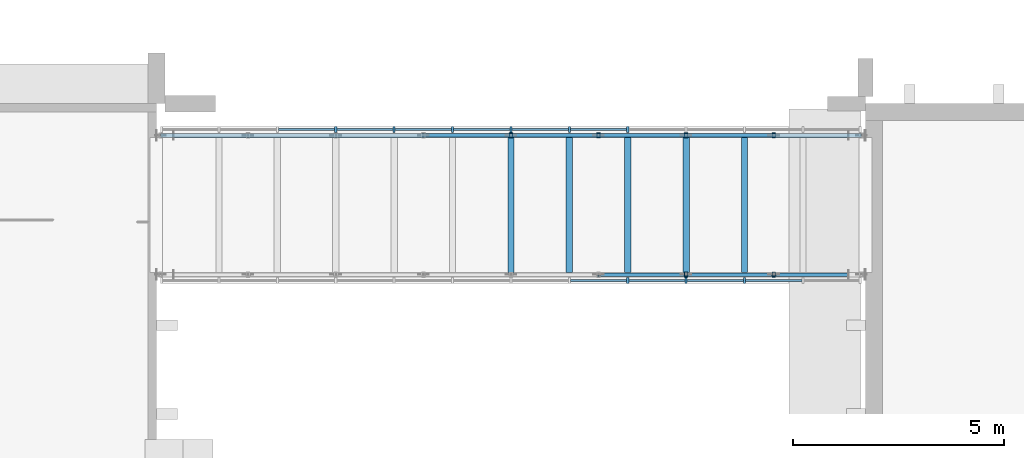
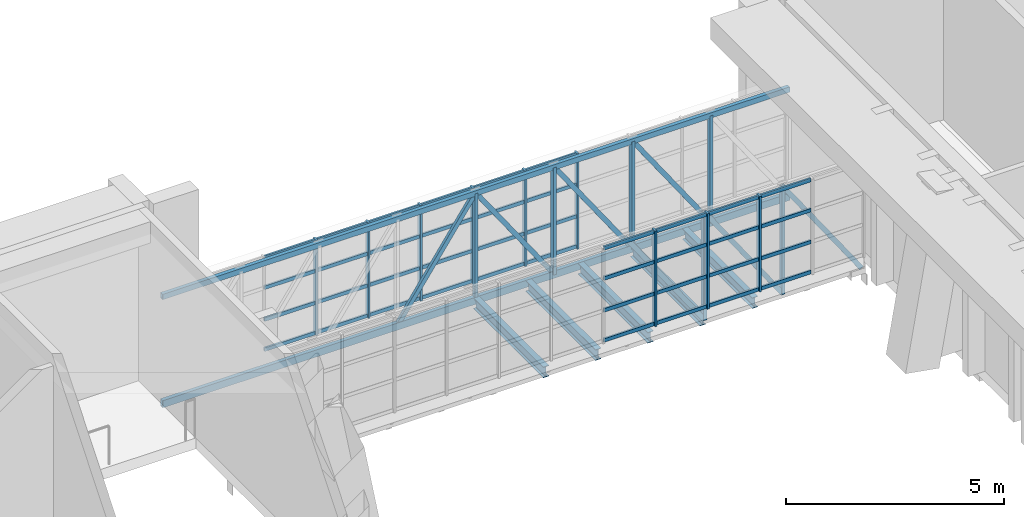
# One storey, part 22 of 86: 64 members, 5 beams, 2 elements without a shape of their own.
"""IFC4 building model written with IfcOpenShell, lengths in metres."""

import ifcopenshell
import ifcopenshell.guid

model = None  # the IFC model being written
_history = None  # IfcOwnerHistory: only IFC2X3 demands one
_inside = {}  # id of a spatial element -> (the spatial element, [elements in it])
_under = {}  # id of a project, library or spatial element -> (it, [spatial elements below it])
_declared = {}  # id of a project -> (the project, [libraries it declares])
_typed = {}  # id of a type object -> (the type object, [elements of that type])
_made_of = {}  # id of a material, layer set ... -> (it, [elements and type objects made of it])


def new_model(schema):
    """Start an empty IFC model of exactly this schema.

    Asked for "IFC4X3", IfcOpenShell would pick the latest addendum, in which some entities
    have other attributes; the version numbers below select the first issue.
    IFC2X3 requires an IfcOwnerHistory on every rooted entity: one is made here for all.
    """
    global model, _history
    if schema == "IFC4X3":
        model = ifcopenshell.file(schema_version=(4, 3, 0, 0))
    else:
        model = ifcopenshell.file(schema=schema)
    _inside.clear()
    _under.clear()
    _declared.clear()
    _typed.clear()
    _made_of.clear()
    _history = None
    if model.schema == "IFC2X3":
        org = make("IfcOrganization", Name="unknown")
        user = make(
            "IfcPersonAndOrganization",
            ThePerson=make("IfcPerson", FamilyName="unknown"),
            TheOrganization=org,
        )
        app = make(
            "IfcApplication",
            ApplicationDeveloper=org,
            Version="unknown",
            ApplicationFullName="unknown",
            ApplicationIdentifier="unknown",
        )
        _history = make(
            "IfcOwnerHistory",
            OwningUser=user,
            OwningApplication=app,
            ChangeAction="ADDED",
            CreationDate=0,
        )
    return model


def make(cls, **values):
    """One entity of the class cls with the attributes given. An attribute that is None is left unset."""
    return model.create_entity(
        cls, **{name: value for name, value in values.items() if value is not None}
    )


def rooted(cls, **values):
    """An entity with a GlobalId (a new one), such as an element, a storey or a relation."""
    return make(cls, GlobalId=ifcopenshell.guid.new(), OwnerHistory=_history, **values)


def si_unit(unit_type, name, prefix=None):
    """IfcSIUnit, for example si_unit("LENGTHUNIT", "METRE", prefix="MILLI")."""
    return make("IfcSIUnit", UnitType=unit_type, Prefix=prefix, Name=name)


def assignment(units):
    """IfcUnitAssignment: the units of a project."""
    return None if units is None else make("IfcUnitAssignment", Units=units)


def point(xyz):
    """IfcCartesianPoint."""
    return None if xyz is None else make("IfcCartesianPoint", Coordinates=xyz)


def direction(xyz):
    """IfcDirection."""
    return None if xyz is None else make("IfcDirection", DirectionRatios=xyz)


def frame(location, z_axis=None, x_axis=None):
    """IfcAxis2Placement3D, a coordinate frame: its origin and axes. An axis left out is left unset."""
    return make(
        "IfcAxis2Placement3D",
        Location=point(location),
        Axis=direction(z_axis),
        RefDirection=direction(x_axis),
    )


def frame_2d(location, x_axis=None):
    """IfcAxis2Placement2D, a coordinate frame in the plane: its origin and x axis."""
    return make(
        "IfcAxis2Placement2D", Location=point(location), RefDirection=direction(x_axis)
    )


def origin():
    """The frame at (0, 0, 0) with its axes left unset."""
    return frame((0.0, 0.0, 0.0))


def origin_2d():
    """The frame at (0, 0) in the plane with its x axis left unset."""
    return frame_2d((0.0, 0.0))


def place(relative_to, where):
    """IfcLocalPlacement: puts the frame where relative to a parent placement (None: the world)."""
    return make(
        "IfcLocalPlacement", PlacementRelTo=relative_to, RelativePlacement=where
    )


def context(
    kind, dimensions, precision=None, world=None, true_north=None, identifier=None
):
    """IfcGeometricRepresentationContext, for example the 3D "Model" context."""
    return make(
        "IfcGeometricRepresentationContext",
        ContextIdentifier=identifier,
        ContextType=kind,
        CoordinateSpaceDimension=dimensions,
        Precision=precision,
        WorldCoordinateSystem=world,
        TrueNorth=true_north,
    )


def subcontext(parent, identifier, kind, view, scale=None):
    """IfcGeometricRepresentationSubContext, for example "Body" below "Model"."""
    return make(
        "IfcGeometricRepresentationSubContext",
        ContextIdentifier=identifier,
        ContextType=kind,
        ParentContext=parent,
        TargetScale=scale,
        TargetView=view,
    )


def project(units=None, contexts=None):
    """IfcProject with its units and contexts."""
    return rooted(
        "IfcProject",
        Name="project",
        RepresentationContexts=contexts,
        UnitsInContext=assignment(units),
    )


def spatial(cls, under=None, at=None, **own):
    """A site, building, storey or space (cls), placed at a placement, below another one or the project."""
    s = rooted(cls, ObjectPlacement=at, **own)
    if under is not None:
        _under.setdefault(under.id(), (under, []))[1].append(s)
    return s


def profile(cls, at=None, kind="AREA", **sizes):
    """A parametric profile (cls). Its sizes go by their IFC names, for example OverallWidth=200.0."""
    return make(cls, ProfileType=kind, Position=at, **sizes)


def rectangle(**sizes):
    """IfcRectangleProfileDef."""
    return profile("IfcRectangleProfileDef", **sizes)


def hollow_rectangle(**sizes):
    """IfcRectangleHollowProfileDef."""
    return profile("IfcRectangleHollowProfileDef", **sizes)


def i_section(**sizes):
    """IfcIShapeProfileDef."""
    return profile("IfcIShapeProfileDef", **sizes)


def extrude(swept, where, along, depth):
    """IfcExtrudedAreaSolid: the profile swept, set in the frame where, extruded along a direction by depth."""
    return make(
        "IfcExtrudedAreaSolid",
        SweptArea=swept,
        Position=where,
        ExtrudedDirection=direction(along),
        Depth=depth,
    )


def shape(context_of_items, identifier, shape_type, items):
    """IfcShapeRepresentation: the items that make up one representation, for example the "Body"."""
    return make(
        "IfcShapeRepresentation",
        ContextOfItems=context_of_items,
        RepresentationIdentifier=identifier,
        RepresentationType=shape_type,
        Items=items,
    )


def material(Name=None, Category=None):
    """IfcMaterial."""
    return make("IfcMaterial", Name=Name, Category=Category)


def layer(
    of_material, thickness, ventilated=None, Name=None, Category=None, Priority=None
):
    """IfcMaterialLayer: one layer of a wall or slab, of a material (None: an air gap)."""
    return make(
        "IfcMaterialLayer",
        Material=of_material,
        LayerThickness=thickness,
        IsVentilated=ventilated,
        Name=Name,
        Category=Category,
        Priority=Priority,
    )


def layer_set(layers, Name=None):
    """IfcMaterialLayerSet."""
    return make("IfcMaterialLayerSet", MaterialLayers=layers, LayerSetName=Name)


def material_profile(
    of_material, cross_section, Name=None, Category=None, Priority=None
):
    """IfcMaterialProfile: a cross section and its material."""
    return make(
        "IfcMaterialProfile",
        Name=Name,
        Material=of_material,
        Profile=cross_section,
        Priority=Priority,
        Category=Category,
    )


def profile_set(profiles, Name=None, composite=None):
    """IfcMaterialProfileSet."""
    return make(
        "IfcMaterialProfileSet",
        Name=Name,
        MaterialProfiles=profiles,
        CompositeProfile=composite,
    )


def made_of(thing, what):
    """Note that an element or type object is made of a material, layer set ...; save() writes the relation."""
    if what is not None:
        _made_of.setdefault(what.id(), (what, []))[1].append(thing)
    return thing


def type_object(cls, material=None, **own):
    """A type object (cls), such as IfcWallType, which elements share."""
    return made_of(rooted(cls, **own), material)


def element(
    cls,
    number,
    at=None,
    inside=None,
    cuts=None,
    type_object=None,
    material=None,
    context=None,
    identifier="Body",
    shape_type=None,
    held_by="IfcProductDefinitionShape",
    body=None,
    shapes=None,
    **own,
):
    """One element of the class cls, such as IfcWall. Its Tag is "e" and its number.

    at: its placement. inside: the storey or other place that contains it. cuts: it is an
    opening in that element (IfcRelVoidsElement). A single representation is given by context,
    identifier, shape_type and body (its items); several are given by shapes. held_by: the class
    of the entity that holds the representations. save() writes the other relations.
    """
    e = rooted(cls, Tag="e%d" % number, ObjectPlacement=at, **own)
    if body is not None:
        shapes = [shape(context, identifier, shape_type, body)]
    if shapes is not None:
        e.Representation = make(held_by, Representations=shapes)
    if inside is not None:
        _inside.setdefault(inside.id(), (inside, []))[1].append(e)
    if cuts is not None:
        rooted(
            "IfcRelVoidsElement", RelatingBuildingElement=cuts, RelatedOpeningElement=e
        )
    if type_object is not None:
        _typed.setdefault(type_object.id(), (type_object, []))[1].append(e)
    return made_of(e, material)


def aggregate(whole, parts):
    """IfcRelAggregates: a whole, such as a stair, and the parts it consists of."""
    return rooted("IfcRelAggregates", RelatingObject=whole, RelatedObjects=parts)


def save(model, path):
    """Write the relations noted so far, then the file.

    IfcRelAggregates (storeys below a building ...), IfcRelContainedInSpatialStructure (elements
    in a storey), IfcRelDefinesByType, IfcRelAssociatesMaterial and IfcRelDeclares: one each for
    every whole, place, type object, material and project.
    """
    for whole, parts in _under.values():
        aggregate(whole, parts)
    for where, things in _inside.values():
        rooted(
            "IfcRelContainedInSpatialStructure",
            RelatedElements=things,
            RelatingStructure=where,
        )
    for kind, things in _typed.values():
        rooted("IfcRelDefinesByType", RelatedObjects=things, RelatingType=kind)
    for what, things in _made_of.values():
        rooted("IfcRelAssociatesMaterial", RelatedObjects=things, RelatingMaterial=what)
    for by, libraries in _declared.values():
        rooted("IfcRelDeclares", RelatingContext=by, RelatedDefinitions=libraries)
    model.write(path)


model = new_model("IFC4")

# Units and contexts
model_context = context("Model", 3, precision=1e-05, world=origin(), true_north=direction((0.0, 1.0)))
body_context = subcontext(model_context, "Body", "Model", "MODEL_VIEW")
ifc_project = project(units=[si_unit("LENGTHUNIT", "METRE"), si_unit("AREAUNIT", "SQUARE_METRE"), si_unit("VOLUMEUNIT", "CUBIC_METRE"), si_unit("PLANEANGLEUNIT", "RADIAN"), si_unit("MASSUNIT", "GRAM", prefix="KILO")], contexts=[model_context])

# Site, building, storey
site_placement = place(None, origin())
site = spatial("IfcSite", under=ifc_project, at=site_placement, CompositionType="ELEMENT")
building_placement = place(site_placement, origin())
building = spatial("IfcBuilding", under=site, at=building_placement, Name="Kiln Court Media Centre", CompositionType="ELEMENT")
storey_placement = place(building_placement, frame((0.0, 0.0, 10.199951171875)))
storey = spatial("IfcBuildingStorey", under=building, at=storey_placement, Name="L02", CompositionType="ELEMENT", Elevation=10.199951171875)

# Curtain wall, members
ifc_material_1 = material(Name="Aluminium 6063-T6", Category="aluminium")
ifc_layer = layer(ifc_material_1, 0.1201171875)
ifc_layer_set = layer_set([ifc_layer], Name="Aluminium unitised curtain wall, bridge")
curtain_wall_type = type_object("IfcCurtainWallType", Name="Aluminium unitised curtain wall, bridge", PredefinedType="USERDEFINED", material=ifc_layer_set)
curtain_wall_1_placement = place(storey_placement, origin())
curtain_wall_1 = element("IfcCurtainWall", 1, at=curtain_wall_1_placement, inside=storey, type_object=curtain_wall_type, Name="BR-4 side glazing", ObjectType="UNITISED CURTAIN WALL", PredefinedType="USERDEFINED")
ifc_material_2 = material(Name="Aluminium 6063-T6", Category="aluminium")
ifc_material_profile_1 = material_profile(ifc_material_2, rectangle(XDim=0.050048828125, YDim=0.139892578125, at=origin_2d()), Name="Aluminium hall mullion 50x140")
ifc_profile_set_1 = profile_set([ifc_material_profile_1], Name="Aluminium 6063-T6")
member_type_1 = type_object("IfcMemberType", Name="Aluminium hall mullion 50x140", PredefinedType="MULLION", material=ifc_profile_set_1)
member_1_placement = place(storey_placement, frame((111.966552734375, 63.014892578125, 0.0), z_axis=(0.0, 0.0, 1.0), x_axis=(1.0, 0.0, 0.0)))
member_1 = element("IfcMember", 2, at=member_1_placement, type_object=member_type_1, Name="CW2-65 mullion 9", PredefinedType="MULLION", context=body_context, shape_type="SweptSolid", body=[
    extrude(rectangle(XDim=0.050048828125, YDim=0.139892578125, at=origin_2d()), origin(), (0.0, 0.0, 1.0), 2.675048828125),
])
member_2_placement = place(storey_placement, frame((113.35009765625, 63.014892578125, 0.0), z_axis=(0.0, 0.0, 1.0), x_axis=(1.0, 0.0, 0.0)))
member_2 = element("IfcMember", 3, at=member_2_placement, type_object=member_type_1, Name="CW2-65 mullion 10", PredefinedType="MULLION", context=body_context, shape_type="SweptSolid", body=[
    extrude(rectangle(XDim=0.050048828125, YDim=0.139892578125, at=origin_2d()), origin(), (0.0, 0.0, 1.0), 2.675048828125),
])
member_3_placement = place(storey_placement, frame((114.7333984375, 63.014892578125, 0.0), z_axis=(0.0, 0.0, 1.0), x_axis=(1.0, 0.0, 0.0)))
member_3 = element("IfcMember", 4, at=member_3_placement, type_object=member_type_1, Name="CW2-65 mullion 11", PredefinedType="MULLION", context=body_context, shape_type="SweptSolid", body=[
    extrude(rectangle(XDim=0.050048828125, YDim=0.139892578125, at=origin_2d()), origin(), (0.0, 0.0, 1.0), 2.675048828125),
])

curtain_wall_2_placement = place(storey_placement, origin())
curtain_wall_2 = element("IfcCurtainWall", 5, at=curtain_wall_2_placement, inside=storey, type_object=curtain_wall_type, Name="BR-4 side glazing", ObjectType="UNITISED CURTAIN WALL", PredefinedType="USERDEFINED")
member_4_placement = place(storey_placement, frame((105.050048828125, 66.5849609375, 0.0), z_axis=(0.0, 0.0, 1.0), x_axis=(1.0, 0.0, 0.0)))
member_4 = element("IfcMember", 6, at=member_4_placement, type_object=member_type_1, Name="CW2-66 mullion 4", PredefinedType="MULLION", context=body_context, shape_type="SweptSolid", body=[
    extrude(rectangle(XDim=0.050048828125, YDim=0.139892578125, at=origin_2d()), origin(), (0.0, 0.0, 1.0), 2.675048828125),
])
member_5_placement = place(storey_placement, frame((106.433349609375, 66.5849609375, 0.0), z_axis=(0.0, 0.0, 1.0), x_axis=(1.0, 0.0, 0.0)))
member_5 = element("IfcMember", 7, at=member_5_placement, type_object=member_type_1, Name="CW2-66 mullion 5", PredefinedType="MULLION", context=body_context, shape_type="SweptSolid", body=[
    extrude(rectangle(XDim=0.050048828125, YDim=0.139892578125, at=origin_2d()), origin(), (0.0, 0.0, 1.0), 2.675048828125),
])
member_6_placement = place(storey_placement, frame((107.816650390625, 66.5849609375, 0.0), z_axis=(0.0, 0.0, 1.0), x_axis=(1.0, 0.0, 0.0)))
member_6 = element("IfcMember", 8, at=member_6_placement, type_object=member_type_1, Name="CW2-66 mullion 6", PredefinedType="MULLION", context=body_context, shape_type="SweptSolid", body=[
    extrude(rectangle(XDim=0.050048828125, YDim=0.139892578125, at=origin_2d()), origin(), (0.0, 0.0, 1.0), 2.675048828125),
])
member_7_placement = place(storey_placement, frame((109.199951171875, 66.5849609375, 0.0), z_axis=(0.0, 0.0, 1.0), x_axis=(1.0, 0.0, 0.0)))
member_7 = element("IfcMember", 9, at=member_7_placement, type_object=member_type_1, Name="CW2-66 mullion 7", PredefinedType="MULLION", context=body_context, shape_type="SweptSolid", body=[
    extrude(rectangle(XDim=0.050048828125, YDim=0.139892578125, at=origin_2d()), origin(), (0.0, 0.0, 1.0), 2.675048828125),
])
member_8_placement = place(storey_placement, frame((110.583251953125, 66.5849609375, 0.0), z_axis=(0.0, 0.0, 1.0), x_axis=(1.0, 0.0, 0.0)))
member_8 = element("IfcMember", 10, at=member_8_placement, type_object=member_type_1, Name="CW2-66 mullion 8", PredefinedType="MULLION", context=body_context, shape_type="SweptSolid", body=[
    extrude(rectangle(XDim=0.050048828125, YDim=0.139892578125, at=origin_2d()), origin(), (0.0, 0.0, 1.0), 2.675048828125),
])
member_9_placement = place(storey_placement, frame((111.966552734375, 66.5849609375, 0.0), z_axis=(0.0, 0.0, 1.0), x_axis=(1.0, 0.0, 0.0)))
member_9 = element("IfcMember", 11, at=member_9_placement, type_object=member_type_1, Name="CW2-66 mullion 9", PredefinedType="MULLION", context=body_context, shape_type="SweptSolid", body=[
    extrude(rectangle(XDim=0.050048828125, YDim=0.139892578125, at=origin_2d()), origin(), (0.0, 0.0, 1.0), 2.675048828125),
])

# Member
ifc_material_3 = material(Name="Aluminium 6063-T6", Category="aluminium")
ifc_material_profile_2 = material_profile(ifc_material_3, rectangle(XDim=0.050048828125, YDim=0.10009765625, at=origin_2d()), Name="Aluminium hall transom 50x100")
ifc_profile_set_2 = profile_set([ifc_material_profile_2], Name="Aluminium 6063-T6")
member_type_2 = type_object("IfcMemberType", Name="Aluminium hall transom 50x100", PredefinedType="USERDEFINED", material=ifc_profile_set_2)
member_10_placement = place(storey_placement, frame((110.6083984375, 63.014892578125, 0.050048828125), z_axis=(1.0, 0.0, 0.0), x_axis=(0.0, 1.0, 0.0)))
member_10 = element("IfcMember", 12, at=member_10_placement, type_object=member_type_2, Name="CW2-65 transom 8.1", ObjectType="TRANSOM", PredefinedType="USERDEFINED", context=body_context, shape_type="SweptSolid", body=[
    extrude(rectangle(XDim=0.050048828125, YDim=0.10009765625, at=origin_2d()), origin(), (0.0, 0.0, 1.0), 1.333251953125),
])

member_11_placement = place(storey_placement, frame((110.6083984375, 63.014892578125, 0.891845703125), z_axis=(1.0, 0.0, 0.0), x_axis=(0.0, 1.0, 0.0)))
member_11 = element("IfcMember", 13, at=member_11_placement, type_object=member_type_2, Name="CW2-65 transom 8.2", ObjectType="TRANSOM", PredefinedType="USERDEFINED", context=body_context, shape_type="SweptSolid", body=[
    extrude(rectangle(XDim=0.050048828125, YDim=0.10009765625, at=origin_2d()), origin(), (0.0, 0.0, 1.0), 1.333251953125),
])

member_12_placement = place(storey_placement, frame((110.6083984375, 63.014892578125, 1.783447265625), z_axis=(1.0, 0.0, 0.0), x_axis=(0.0, 1.0, 0.0)))
member_12 = element("IfcMember", 14, at=member_12_placement, type_object=member_type_2, Name="CW2-65 transom 8.3", ObjectType="TRANSOM", PredefinedType="USERDEFINED", context=body_context, shape_type="SweptSolid", body=[
    extrude(rectangle(XDim=0.050048828125, YDim=0.10009765625, at=origin_2d()), origin(), (0.0, 0.0, 1.0), 1.333251953125),
])

member_13_placement = place(storey_placement, frame((110.6083984375, 63.014892578125, 2.625), z_axis=(1.0, 0.0, 0.0), x_axis=(0.0, 1.0, 0.0)))
member_13 = element("IfcMember", 15, at=member_13_placement, type_object=member_type_2, Name="CW2-65 transom 8.4", ObjectType="TRANSOM", PredefinedType="USERDEFINED", context=body_context, shape_type="SweptSolid", body=[
    extrude(rectangle(XDim=0.050048828125, YDim=0.10009765625, at=origin_2d()), origin(), (0.0, 0.0, 1.0), 1.333251953125),
])

member_14_placement = place(storey_placement, frame((111.99169921875, 63.014892578125, 0.050048828125), z_axis=(1.0, 0.0, 0.0), x_axis=(0.0, 1.0, 0.0)))
member_14 = element("IfcMember", 16, at=member_14_placement, type_object=member_type_2, Name="CW2-65 transom 9.1", ObjectType="TRANSOM", PredefinedType="USERDEFINED", context=body_context, shape_type="SweptSolid", body=[
    extrude(rectangle(XDim=0.050048828125, YDim=0.10009765625, at=origin_2d()), origin(), (0.0, 0.0, 1.0), 1.333251953125),
])

member_15_placement = place(storey_placement, frame((111.99169921875, 63.014892578125, 0.891845703125), z_axis=(1.0, 0.0, 0.0), x_axis=(0.0, 1.0, 0.0)))
member_15 = element("IfcMember", 17, at=member_15_placement, type_object=member_type_2, Name="CW2-65 transom 9.2", ObjectType="TRANSOM", PredefinedType="USERDEFINED", context=body_context, shape_type="SweptSolid", body=[
    extrude(rectangle(XDim=0.050048828125, YDim=0.10009765625, at=origin_2d()), origin(), (0.0, 0.0, 1.0), 1.333251953125),
])

member_16_placement = place(storey_placement, frame((111.99169921875, 63.014892578125, 1.783447265625), z_axis=(1.0, 0.0, 0.0), x_axis=(0.0, 1.0, 0.0)))
member_16 = element("IfcMember", 18, at=member_16_placement, type_object=member_type_2, Name="CW2-65 transom 9.3", ObjectType="TRANSOM", PredefinedType="USERDEFINED", context=body_context, shape_type="SweptSolid", body=[
    extrude(rectangle(XDim=0.050048828125, YDim=0.10009765625, at=origin_2d()), origin(), (0.0, 0.0, 1.0), 1.333251953125),
])

member_17_placement = place(storey_placement, frame((111.99169921875, 63.014892578125, 2.625), z_axis=(1.0, 0.0, 0.0), x_axis=(0.0, 1.0, 0.0)))
member_17 = element("IfcMember", 19, at=member_17_placement, type_object=member_type_2, Name="CW2-65 transom 9.4", ObjectType="TRANSOM", PredefinedType="USERDEFINED", context=body_context, shape_type="SweptSolid", body=[
    extrude(rectangle(XDim=0.050048828125, YDim=0.10009765625, at=origin_2d()), origin(), (0.0, 0.0, 1.0), 1.333251953125),
])

member_18_placement = place(storey_placement, frame((113.375, 63.014892578125, 0.050048828125), z_axis=(1.0, 0.0, 0.0), x_axis=(0.0, 1.0, 0.0)))
member_18 = element("IfcMember", 20, at=member_18_placement, type_object=member_type_2, Name="CW2-65 transom 10.1", ObjectType="TRANSOM", PredefinedType="USERDEFINED", context=body_context, shape_type="SweptSolid", body=[
    extrude(rectangle(XDim=0.050048828125, YDim=0.10009765625, at=origin_2d()), origin(), (0.0, 0.0, 1.0), 1.333251953125),
])

member_19_placement = place(storey_placement, frame((113.375, 63.014892578125, 0.891845703125), z_axis=(1.0, 0.0, 0.0), x_axis=(0.0, 1.0, 0.0)))
member_19 = element("IfcMember", 21, at=member_19_placement, type_object=member_type_2, Name="CW2-65 transom 10.2", ObjectType="TRANSOM", PredefinedType="USERDEFINED", context=body_context, shape_type="SweptSolid", body=[
    extrude(rectangle(XDim=0.050048828125, YDim=0.10009765625, at=origin_2d()), origin(), (0.0, 0.0, 1.0), 1.333251953125),
])

member_20_placement = place(storey_placement, frame((113.375, 63.014892578125, 1.783447265625), z_axis=(1.0, 0.0, 0.0), x_axis=(0.0, 1.0, 0.0)))
member_20 = element("IfcMember", 22, at=member_20_placement, type_object=member_type_2, Name="CW2-65 transom 10.3", ObjectType="TRANSOM", PredefinedType="USERDEFINED", context=body_context, shape_type="SweptSolid", body=[
    extrude(rectangle(XDim=0.050048828125, YDim=0.10009765625, at=origin_2d()), origin(), (0.0, 0.0, 1.0), 1.333251953125),
])

member_21_placement = place(storey_placement, frame((113.375, 63.014892578125, 2.625), z_axis=(1.0, 0.0, 0.0), x_axis=(0.0, 1.0, 0.0)))
member_21 = element("IfcMember", 23, at=member_21_placement, type_object=member_type_2, Name="CW2-65 transom 10.4", ObjectType="TRANSOM", PredefinedType="USERDEFINED", context=body_context, shape_type="SweptSolid", body=[
    extrude(rectangle(XDim=0.050048828125, YDim=0.10009765625, at=origin_2d()), origin(), (0.0, 0.0, 1.0), 1.333251953125),
])

member_22_placement = place(storey_placement, frame((114.75830078125, 63.014892578125, 0.050048828125), z_axis=(1.0, 0.0, 0.0), x_axis=(0.0, 1.0, 0.0)))
member_22 = element("IfcMember", 24, at=member_22_placement, type_object=member_type_2, Name="CW2-65 transom 11.1", ObjectType="TRANSOM", PredefinedType="USERDEFINED", context=body_context, shape_type="SweptSolid", body=[
    extrude(rectangle(XDim=0.050048828125, YDim=0.10009765625, at=origin_2d()), origin(), (0.0, 0.0, 1.0), 1.333251953125),
])

member_23_placement = place(storey_placement, frame((114.75830078125, 63.014892578125, 0.891845703125), z_axis=(1.0, 0.0, 0.0), x_axis=(0.0, 1.0, 0.0)))
member_23 = element("IfcMember", 25, at=member_23_placement, type_object=member_type_2, Name="CW2-65 transom 11.2", ObjectType="TRANSOM", PredefinedType="USERDEFINED", context=body_context, shape_type="SweptSolid", body=[
    extrude(rectangle(XDim=0.050048828125, YDim=0.10009765625, at=origin_2d()), origin(), (0.0, 0.0, 1.0), 1.333251953125),
])

member_24_placement = place(storey_placement, frame((114.75830078125, 63.014892578125, 1.783447265625), z_axis=(1.0, 0.0, 0.0), x_axis=(0.0, 1.0, 0.0)))
member_24 = element("IfcMember", 26, at=member_24_placement, type_object=member_type_2, Name="CW2-65 transom 11.3", ObjectType="TRANSOM", PredefinedType="USERDEFINED", context=body_context, shape_type="SweptSolid", body=[
    extrude(rectangle(XDim=0.050048828125, YDim=0.10009765625, at=origin_2d()), origin(), (0.0, 0.0, 1.0), 1.333251953125),
])

member_25_placement = place(storey_placement, frame((114.75830078125, 63.014892578125, 2.625), z_axis=(1.0, 0.0, 0.0), x_axis=(0.0, 1.0, 0.0)))
member_25 = element("IfcMember", 27, at=member_25_placement, type_object=member_type_2, Name="CW2-65 transom 11.4", ObjectType="TRANSOM", PredefinedType="USERDEFINED", context=body_context, shape_type="SweptSolid", body=[
    extrude(rectangle(XDim=0.050048828125, YDim=0.10009765625, at=origin_2d()), origin(), (0.0, 0.0, 1.0), 1.333251953125),
])

aggregate(curtain_wall_1, [member_1, member_2, member_3, member_10, member_11, member_12, member_13, member_14, member_15, member_16, member_17, member_18, member_19, member_20, member_21, member_22, member_23, member_24, member_25])

member_26_placement = place(storey_placement, frame((103.691650390625, 66.5849609375, 0.050048828125), z_axis=(1.0, 0.0, 0.0), x_axis=(0.0, 1.0, 0.0)))
member_26 = element("IfcMember", 28, at=member_26_placement, type_object=member_type_2, Name="CW2-66 transom 3.1", ObjectType="TRANSOM", PredefinedType="USERDEFINED", context=body_context, shape_type="SweptSolid", body=[
    extrude(rectangle(XDim=0.050048828125, YDim=0.10009765625, at=origin_2d()), origin(), (0.0, 0.0, 1.0), 1.333251953125),
])

member_27_placement = place(storey_placement, frame((103.691650390625, 66.5849609375, 0.891845703125), z_axis=(1.0, 0.0, 0.0), x_axis=(0.0, 1.0, 0.0)))
member_27 = element("IfcMember", 29, at=member_27_placement, type_object=member_type_2, Name="CW2-66 transom 3.2", ObjectType="TRANSOM", PredefinedType="USERDEFINED", context=body_context, shape_type="SweptSolid", body=[
    extrude(rectangle(XDim=0.050048828125, YDim=0.10009765625, at=origin_2d()), origin(), (0.0, 0.0, 1.0), 1.333251953125),
])

member_28_placement = place(storey_placement, frame((103.691650390625, 66.5849609375, 1.783447265625), z_axis=(1.0, 0.0, 0.0), x_axis=(0.0, 1.0, 0.0)))
member_28 = element("IfcMember", 30, at=member_28_placement, type_object=member_type_2, Name="CW2-66 transom 3.3", ObjectType="TRANSOM", PredefinedType="USERDEFINED", context=body_context, shape_type="SweptSolid", body=[
    extrude(rectangle(XDim=0.050048828125, YDim=0.10009765625, at=origin_2d()), origin(), (0.0, 0.0, 1.0), 1.333251953125),
])

member_29_placement = place(storey_placement, frame((103.691650390625, 66.5849609375, 2.625), z_axis=(1.0, 0.0, 0.0), x_axis=(0.0, 1.0, 0.0)))
member_29 = element("IfcMember", 31, at=member_29_placement, type_object=member_type_2, Name="CW2-66 transom 3.4", ObjectType="TRANSOM", PredefinedType="USERDEFINED", context=body_context, shape_type="SweptSolid", body=[
    extrude(rectangle(XDim=0.050048828125, YDim=0.10009765625, at=origin_2d()), origin(), (0.0, 0.0, 1.0), 1.333251953125),
])

member_30_placement = place(storey_placement, frame((105.074951171875, 66.5849609375, 0.050048828125), z_axis=(1.0, 0.0, 0.0), x_axis=(0.0, 1.0, 0.0)))
member_30 = element("IfcMember", 32, at=member_30_placement, type_object=member_type_2, Name="CW2-66 transom 4.1", ObjectType="TRANSOM", PredefinedType="USERDEFINED", context=body_context, shape_type="SweptSolid", body=[
    extrude(rectangle(XDim=0.050048828125, YDim=0.10009765625, at=origin_2d()), origin(), (0.0, 0.0, 1.0), 1.33349609375),
])

member_31_placement = place(storey_placement, frame((105.074951171875, 66.5849609375, 0.891845703125), z_axis=(1.0, 0.0, 0.0), x_axis=(0.0, 1.0, 0.0)))
member_31 = element("IfcMember", 33, at=member_31_placement, type_object=member_type_2, Name="CW2-66 transom 4.2", ObjectType="TRANSOM", PredefinedType="USERDEFINED", context=body_context, shape_type="SweptSolid", body=[
    extrude(rectangle(XDim=0.050048828125, YDim=0.10009765625, at=origin_2d()), origin(), (0.0, 0.0, 1.0), 1.33349609375),
])

member_32_placement = place(storey_placement, frame((105.074951171875, 66.5849609375, 1.783447265625), z_axis=(1.0, 0.0, 0.0), x_axis=(0.0, 1.0, 0.0)))
member_32 = element("IfcMember", 34, at=member_32_placement, type_object=member_type_2, Name="CW2-66 transom 4.3", ObjectType="TRANSOM", PredefinedType="USERDEFINED", context=body_context, shape_type="SweptSolid", body=[
    extrude(rectangle(XDim=0.050048828125, YDim=0.10009765625, at=origin_2d()), origin(), (0.0, 0.0, 1.0), 1.33349609375),
])

member_33_placement = place(storey_placement, frame((105.074951171875, 66.5849609375, 2.625), z_axis=(1.0, 0.0, 0.0), x_axis=(0.0, 1.0, 0.0)))
member_33 = element("IfcMember", 35, at=member_33_placement, type_object=member_type_2, Name="CW2-66 transom 4.4", ObjectType="TRANSOM", PredefinedType="USERDEFINED", context=body_context, shape_type="SweptSolid", body=[
    extrude(rectangle(XDim=0.050048828125, YDim=0.10009765625, at=origin_2d()), origin(), (0.0, 0.0, 1.0), 1.33349609375),
])

member_34_placement = place(storey_placement, frame((106.458251953125, 66.5849609375, 0.050048828125), z_axis=(1.0, 0.0, 0.0), x_axis=(0.0, 1.0, 0.0)))
member_34 = element("IfcMember", 36, at=member_34_placement, type_object=member_type_2, Name="CW2-66 transom 5.1", ObjectType="TRANSOM", PredefinedType="USERDEFINED", context=body_context, shape_type="SweptSolid", body=[
    extrude(rectangle(XDim=0.050048828125, YDim=0.10009765625, at=origin_2d()), origin(), (0.0, 0.0, 1.0), 1.33349609375),
])

member_35_placement = place(storey_placement, frame((106.458251953125, 66.5849609375, 0.891845703125), z_axis=(1.0, 0.0, 0.0), x_axis=(0.0, 1.0, 0.0)))
member_35 = element("IfcMember", 37, at=member_35_placement, type_object=member_type_2, Name="CW2-66 transom 5.2", ObjectType="TRANSOM", PredefinedType="USERDEFINED", context=body_context, shape_type="SweptSolid", body=[
    extrude(rectangle(XDim=0.050048828125, YDim=0.10009765625, at=origin_2d()), origin(), (0.0, 0.0, 1.0), 1.33349609375),
])

member_36_placement = place(storey_placement, frame((106.458251953125, 66.5849609375, 1.783447265625), z_axis=(1.0, 0.0, 0.0), x_axis=(0.0, 1.0, 0.0)))
member_36 = element("IfcMember", 38, at=member_36_placement, type_object=member_type_2, Name="CW2-66 transom 5.3", ObjectType="TRANSOM", PredefinedType="USERDEFINED", context=body_context, shape_type="SweptSolid", body=[
    extrude(rectangle(XDim=0.050048828125, YDim=0.10009765625, at=origin_2d()), origin(), (0.0, 0.0, 1.0), 1.33349609375),
])

member_37_placement = place(storey_placement, frame((106.458251953125, 66.5849609375, 2.625), z_axis=(1.0, 0.0, 0.0), x_axis=(0.0, 1.0, 0.0)))
member_37 = element("IfcMember", 39, at=member_37_placement, type_object=member_type_2, Name="CW2-66 transom 5.4", ObjectType="TRANSOM", PredefinedType="USERDEFINED", context=body_context, shape_type="SweptSolid", body=[
    extrude(rectangle(XDim=0.050048828125, YDim=0.10009765625, at=origin_2d()), origin(), (0.0, 0.0, 1.0), 1.33349609375),
])

member_38_placement = place(storey_placement, frame((107.841552734375, 66.5849609375, 0.050048828125), z_axis=(1.0, 0.0, 0.0), x_axis=(0.0, 1.0, 0.0)))
member_38 = element("IfcMember", 40, at=member_38_placement, type_object=member_type_2, Name="CW2-66 transom 6.1", ObjectType="TRANSOM", PredefinedType="USERDEFINED", context=body_context, shape_type="SweptSolid", body=[
    extrude(rectangle(XDim=0.050048828125, YDim=0.10009765625, at=origin_2d()), origin(), (0.0, 0.0, 1.0), 1.33349609375),
])

member_39_placement = place(storey_placement, frame((107.841552734375, 66.5849609375, 0.891845703125), z_axis=(1.0, 0.0, 0.0), x_axis=(0.0, 1.0, 0.0)))
member_39 = element("IfcMember", 41, at=member_39_placement, type_object=member_type_2, Name="CW2-66 transom 6.2", ObjectType="TRANSOM", PredefinedType="USERDEFINED", context=body_context, shape_type="SweptSolid", body=[
    extrude(rectangle(XDim=0.050048828125, YDim=0.10009765625, at=origin_2d()), origin(), (0.0, 0.0, 1.0), 1.33349609375),
])

member_40_placement = place(storey_placement, frame((107.841552734375, 66.5849609375, 1.783447265625), z_axis=(1.0, 0.0, 0.0), x_axis=(0.0, 1.0, 0.0)))
member_40 = element("IfcMember", 42, at=member_40_placement, type_object=member_type_2, Name="CW2-66 transom 6.3", ObjectType="TRANSOM", PredefinedType="USERDEFINED", context=body_context, shape_type="SweptSolid", body=[
    extrude(rectangle(XDim=0.050048828125, YDim=0.10009765625, at=origin_2d()), origin(), (0.0, 0.0, 1.0), 1.33349609375),
])

member_41_placement = place(storey_placement, frame((107.841552734375, 66.5849609375, 2.625), z_axis=(1.0, 0.0, 0.0), x_axis=(0.0, 1.0, 0.0)))
member_41 = element("IfcMember", 43, at=member_41_placement, type_object=member_type_2, Name="CW2-66 transom 6.4", ObjectType="TRANSOM", PredefinedType="USERDEFINED", context=body_context, shape_type="SweptSolid", body=[
    extrude(rectangle(XDim=0.050048828125, YDim=0.10009765625, at=origin_2d()), origin(), (0.0, 0.0, 1.0), 1.33349609375),
])

member_42_placement = place(storey_placement, frame((109.22509765625, 66.5849609375, 0.050048828125), z_axis=(1.0, 0.0, 0.0), x_axis=(0.0, 1.0, 0.0)))
member_42 = element("IfcMember", 44, at=member_42_placement, type_object=member_type_2, Name="CW2-66 transom 7.1", ObjectType="TRANSOM", PredefinedType="USERDEFINED", context=body_context, shape_type="SweptSolid", body=[
    extrude(rectangle(XDim=0.050048828125, YDim=0.10009765625, at=origin_2d()), origin(), (0.0, 0.0, 1.0), 1.333251953125),
])

member_43_placement = place(storey_placement, frame((109.22509765625, 66.5849609375, 0.891845703125), z_axis=(1.0, 0.0, 0.0), x_axis=(0.0, 1.0, 0.0)))
member_43 = element("IfcMember", 45, at=member_43_placement, type_object=member_type_2, Name="CW2-66 transom 7.2", ObjectType="TRANSOM", PredefinedType="USERDEFINED", context=body_context, shape_type="SweptSolid", body=[
    extrude(rectangle(XDim=0.050048828125, YDim=0.10009765625, at=origin_2d()), origin(), (0.0, 0.0, 1.0), 1.333251953125),
])

member_44_placement = place(storey_placement, frame((109.22509765625, 66.5849609375, 1.783447265625), z_axis=(1.0, 0.0, 0.0), x_axis=(0.0, 1.0, 0.0)))
member_44 = element("IfcMember", 46, at=member_44_placement, type_object=member_type_2, Name="CW2-66 transom 7.3", ObjectType="TRANSOM", PredefinedType="USERDEFINED", context=body_context, shape_type="SweptSolid", body=[
    extrude(rectangle(XDim=0.050048828125, YDim=0.10009765625, at=origin_2d()), origin(), (0.0, 0.0, 1.0), 1.333251953125),
])

member_45_placement = place(storey_placement, frame((109.22509765625, 66.5849609375, 2.625), z_axis=(1.0, 0.0, 0.0), x_axis=(0.0, 1.0, 0.0)))
member_45 = element("IfcMember", 47, at=member_45_placement, type_object=member_type_2, Name="CW2-66 transom 7.4", ObjectType="TRANSOM", PredefinedType="USERDEFINED", context=body_context, shape_type="SweptSolid", body=[
    extrude(rectangle(XDim=0.050048828125, YDim=0.10009765625, at=origin_2d()), origin(), (0.0, 0.0, 1.0), 1.333251953125),
])

member_46_placement = place(storey_placement, frame((110.6083984375, 66.5849609375, 0.050048828125), z_axis=(1.0, 0.0, 0.0), x_axis=(0.0, 1.0, 0.0)))
member_46 = element("IfcMember", 48, at=member_46_placement, type_object=member_type_2, Name="CW2-66 transom 8.1", ObjectType="TRANSOM", PredefinedType="USERDEFINED", context=body_context, shape_type="SweptSolid", body=[
    extrude(rectangle(XDim=0.050048828125, YDim=0.10009765625, at=origin_2d()), origin(), (0.0, 0.0, 1.0), 1.333251953125),
])

member_47_placement = place(storey_placement, frame((110.6083984375, 66.5849609375, 0.891845703125), z_axis=(1.0, 0.0, 0.0), x_axis=(0.0, 1.0, 0.0)))
member_47 = element("IfcMember", 49, at=member_47_placement, type_object=member_type_2, Name="CW2-66 transom 8.2", ObjectType="TRANSOM", PredefinedType="USERDEFINED", context=body_context, shape_type="SweptSolid", body=[
    extrude(rectangle(XDim=0.050048828125, YDim=0.10009765625, at=origin_2d()), origin(), (0.0, 0.0, 1.0), 1.333251953125),
])

member_48_placement = place(storey_placement, frame((110.6083984375, 66.5849609375, 1.783447265625), z_axis=(1.0, 0.0, 0.0), x_axis=(0.0, 1.0, 0.0)))
member_48 = element("IfcMember", 50, at=member_48_placement, type_object=member_type_2, Name="CW2-66 transom 8.3", ObjectType="TRANSOM", PredefinedType="USERDEFINED", context=body_context, shape_type="SweptSolid", body=[
    extrude(rectangle(XDim=0.050048828125, YDim=0.10009765625, at=origin_2d()), origin(), (0.0, 0.0, 1.0), 1.333251953125),
])

member_49_placement = place(storey_placement, frame((110.6083984375, 66.5849609375, 2.625), z_axis=(1.0, 0.0, 0.0), x_axis=(0.0, 1.0, 0.0)))
member_49 = element("IfcMember", 51, at=member_49_placement, type_object=member_type_2, Name="CW2-66 transom 8.4", ObjectType="TRANSOM", PredefinedType="USERDEFINED", context=body_context, shape_type="SweptSolid", body=[
    extrude(rectangle(XDim=0.050048828125, YDim=0.10009765625, at=origin_2d()), origin(), (0.0, 0.0, 1.0), 1.333251953125),
])

aggregate(curtain_wall_2, [member_4, member_5, member_6, member_7, member_8, member_9, member_26, member_27, member_28, member_29, member_30, member_31, member_32, member_33, member_34, member_35, member_36, member_37, member_38, member_39, member_40, member_41, member_42, member_43, member_44, member_45, member_46, member_47, member_48, member_49])

# Members
ifc_material_4 = material(Name="Steel ASTM A500 Gr C", Category="steel")
ifc_material_profile_3 = material_profile(ifc_material_4, hollow_rectangle(XDim=0.080078125, YDim=0.1201171875, WallThickness=0.00634765625, at=origin_2d()), Name="RHS 120x80x6.3")
ifc_profile_set_3 = profile_set([ifc_material_profile_3], Name="Steel ASTM A500 Gr C")
member_type_3 = type_object("IfcMemberType", Name="Steel ASTM A500 Gr C RHS 120x80x6.3 bridge truss web", PredefinedType="BRACE", material=ifc_profile_set_3)
for number, where, z_axis, x_axis, name in (
    (52, (113.35009765625, 63.14990234375, -0.39990234375), (0.0, 0.0, 1.0), (1.0, 0.0, 0.0), "bridge BR-4 side truss 1 post 7 bridge truss web"),
    (53, (115.425048828125, 63.14990234375, -0.39990234375), (0.0, 0.0, 1.0), (1.0, 0.0, 0.0), "bridge BR-4 side truss 1 post 8 bridge truss web"),
):
    element("IfcMember", number, at=place(storey_placement, frame(where, z_axis=z_axis, x_axis=x_axis)), inside=storey, type_object=member_type_3, Name=name, PredefinedType="BRACE", context=body_context, shape_type="SweptSolid", body=[
        extrude(hollow_rectangle(XDim=0.080078125, YDim=0.1201171875, WallThickness=0.00634765625, at=origin_2d()), origin(), (0.0, 0.0, 1.0), 3.0),
    ])
for number, where, z_axis, x_axis, name in (
    (54, (111.27490234375, 63.14990234375, 2.60009765625), (0.568889751131, 0.0, -0.822413795518), (0.0, 1.0, 0.0), "bridge BR-4 side truss 1 diagonal 6 bridge truss web"),
    (55, (113.35009765625, 63.14990234375, 2.60009765625), (0.568844480686, 0.0, -0.822445108681), (0.0, 1.0, 0.0), "bridge BR-4 side truss 1 diagonal 7 bridge truss web"),
    (56, (115.425048828125, 63.14990234375, 2.60009765625), (0.568844480686, 0.0, -0.822445108681), (0.0, 1.0, 0.0), "bridge BR-4 side truss 1 diagonal 8 bridge truss web"),
):
    element("IfcMember", number, at=place(storey_placement, frame(where, z_axis=z_axis, x_axis=x_axis)), inside=storey, type_object=member_type_3, Name=name, PredefinedType="BRACE", context=body_context, shape_type="SweptSolid", body=[
        extrude(hollow_rectangle(XDim=0.080078125, YDim=0.1201171875, WallThickness=0.00634765625, at=origin_2d()), origin(), (0.0, 0.0, 1.0), 3.647705078125),
    ])
for number, where, z_axis, x_axis, name in (
    (57, (109.199951171875, 66.449951171875, -0.39990234375), (0.0, 0.0, 1.0), (1.0, 0.0, 0.0), "bridge BR-4 side truss 2 post 5 bridge truss web"),
    (58, (111.27490234375, 66.449951171875, -0.39990234375), (0.0, 0.0, 1.0), (1.0, 0.0, 0.0), "bridge BR-4 side truss 2 post 6 bridge truss web"),
    (59, (113.35009765625, 66.449951171875, -0.39990234375), (0.0, 0.0, 1.0), (1.0, 0.0, 0.0), "bridge BR-4 side truss 2 post 7 bridge truss web"),
    (60, (115.425048828125, 66.449951171875, -0.39990234375), (0.0, 0.0, 1.0), (1.0, 0.0, 0.0), "bridge BR-4 side truss 2 post 8 bridge truss web"),
):
    element("IfcMember", number, at=place(storey_placement, frame(where, z_axis=z_axis, x_axis=x_axis)), inside=storey, type_object=member_type_3, Name=name, PredefinedType="BRACE", context=body_context, shape_type="SweptSolid", body=[
        extrude(hollow_rectangle(XDim=0.080078125, YDim=0.1201171875, WallThickness=0.00634765625, at=origin_2d()), origin(), (0.0, 0.0, 1.0), 3.0),
    ])
for number, where, z_axis, x_axis, name in (
    (61, (107.125, 66.449951171875, -0.39990234375), (0.568844480686, 0.0, 0.822445108681), (0.0, 1.0, 0.0), "bridge BR-4 side truss 2 diagonal 4 bridge truss web"),
    (62, (109.199951171875, 66.449951171875, 2.60009765625), (0.568844480686, 0.0, -0.822445108681), (0.0, 1.0, 0.0), "bridge BR-4 side truss 2 diagonal 5 bridge truss web"),
    (63, (111.27490234375, 66.449951171875, 2.60009765625), (0.568889751131, 0.0, -0.822413795518), (0.0, 1.0, 0.0), "bridge BR-4 side truss 2 diagonal 6 bridge truss web"),
    (64, (113.35009765625, 66.449951171875, 2.60009765625), (0.568844480686, 0.0, -0.822445108681), (0.0, 1.0, 0.0), "bridge BR-4 side truss 2 diagonal 7 bridge truss web"),
):
    element("IfcMember", number, at=place(storey_placement, frame(where, z_axis=z_axis, x_axis=x_axis)), inside=storey, type_object=member_type_3, Name=name, PredefinedType="BRACE", context=body_context, shape_type="SweptSolid", body=[
        extrude(hollow_rectangle(XDim=0.080078125, YDim=0.1201171875, WallThickness=0.00634765625, at=origin_2d()), origin(), (0.0, 0.0, 1.0), 3.647705078125),
    ])
ifc_material_5 = material(Name="Steel ASTM A500 Gr C", Category="steel")
ifc_material_profile_4 = material_profile(ifc_material_5, hollow_rectangle(XDim=0.10009765625, YDim=0.14990234375, WallThickness=0.008056640625, at=origin_2d()), Name="RHS 150x100x8.0")
ifc_profile_set_4 = profile_set([ifc_material_profile_4], Name="Steel ASTM A500 Gr C")
member_type_4 = type_object("IfcMemberType", Name="Steel ASTM A500 Gr C RHS 150x100x8.0 bridge truss chord", PredefinedType="CHORD", material=ifc_profile_set_4)
member_50_placement = place(storey_placement, frame((100.89990234375, 66.449951171875, 2.60009765625), z_axis=(1.0, 0.0, 0.0), x_axis=(0.0, 1.0, 0.0)))
element("IfcMember", 65, at=member_50_placement, inside=storey, type_object=member_type_4, Name="bridge BR-4 side truss 2 top chord bridge truss chord", PredefinedType="CHORD", context=body_context, shape_type="SweptSolid", body=[
    extrude(hollow_rectangle(XDim=0.10009765625, YDim=0.14990234375, WallThickness=0.008056640625, at=origin_2d()), origin(), (0.0, 0.0, 1.0), 16.60009765625),
])
ifc_material_6 = material(Name="Steel ASTM A500 Gr C", Category="steel")
ifc_material_profile_5 = material_profile(ifc_material_6, hollow_rectangle(XDim=0.10009765625, YDim=0.199951171875, WallThickness=0.008056640625, at=origin_2d()), Name="RHS 200x100x8.0")
ifc_profile_set_5 = profile_set([ifc_material_profile_5], Name="Steel ASTM A500 Gr C")
member_type_5 = type_object("IfcMemberType", Name="Steel ASTM A500 Gr C RHS 200x100x8.0 bridge truss chord", PredefinedType="CHORD", material=ifc_profile_set_5)
member_51_placement = place(storey_placement, frame((100.89990234375, 66.449951171875, -0.39990234375), z_axis=(1.0, 0.0, 0.0), x_axis=(0.0, 1.0, 0.0)))
element("IfcMember", 66, at=member_51_placement, inside=storey, type_object=member_type_5, Name="bridge BR-4 side truss 2 bottom chord bridge truss chord", PredefinedType="CHORD", context=body_context, shape_type="SweptSolid", body=[
    extrude(hollow_rectangle(XDim=0.10009765625, YDim=0.199951171875, WallThickness=0.008056640625, at=origin_2d()), origin(), (0.0, 0.0, 1.0), 16.60009765625),
])

# Beams
ifc_material_7 = material(Name="Steel ASTM A572 Gr 50", Category="steel")
ifc_material_profile_6 = material_profile(ifc_material_7, i_section(OverallWidth=0.14990234375, OverallDepth=0.300048828125, WebThickness=0.007080078125, FlangeThickness=0.0107421875, FilletRadius=0.014892578125, at=origin_2d()), Name="IPE 300")
ifc_profile_set_6 = profile_set([ifc_material_profile_6], Name="Steel ASTM A572 Gr 50")
beam_type = type_object("IfcBeamType", Name="Steel ASTM A572 Gr 50 IPE 300 bridge floor beam", PredefinedType="BEAM", material=ifc_profile_set_6)
for number, where, z_axis, x_axis, name in (
    (67, (109.199951171875, 63.199951171875, -0.449951171875), (0.0, 1.0, 0.0), (-1.0, 0.0, 0.0), "bridge BR-4 floor beam 6 bridge floor beam"),
    (68, (110.583251953125, 63.199951171875, -0.449951171875), (0.0, 1.0, 0.0), (-1.0, 0.0, 0.0), "bridge BR-4 floor beam 7 bridge floor beam"),
    (69, (111.966796875, 63.199951171875, -0.449951171875), (0.0, 1.0, 0.0), (-1.0, 0.0, 0.0), "bridge BR-4 floor beam 8 bridge floor beam"),
    (70, (113.35009765625, 63.199951171875, -0.449951171875), (0.0, 1.0, 0.0), (-1.0, 0.0, 0.0), "bridge BR-4 floor beam 9 bridge floor beam"),
    (71, (114.7333984375, 63.199951171875, -0.449951171875), (0.0, 1.0, 0.0), (-1.0, 0.0, 0.0), "bridge BR-4 floor beam 10 bridge floor beam"),
):
    element("IfcBeam", number, at=place(storey_placement, frame(where, z_axis=z_axis, x_axis=x_axis)), inside=storey, type_object=beam_type, Name=name, PredefinedType="BEAM", context=body_context, shape_type="SweptSolid", body=[
        extrude(i_section(OverallWidth=0.14990234375, OverallDepth=0.300048828125, WebThickness=0.007080078125, FlangeThickness=0.0107421875, FilletRadius=0.014892578125, at=origin_2d()), origin(), (0.0, 0.0, 1.0), 3.199951171875),
    ])

save(model, "model.ifc")
